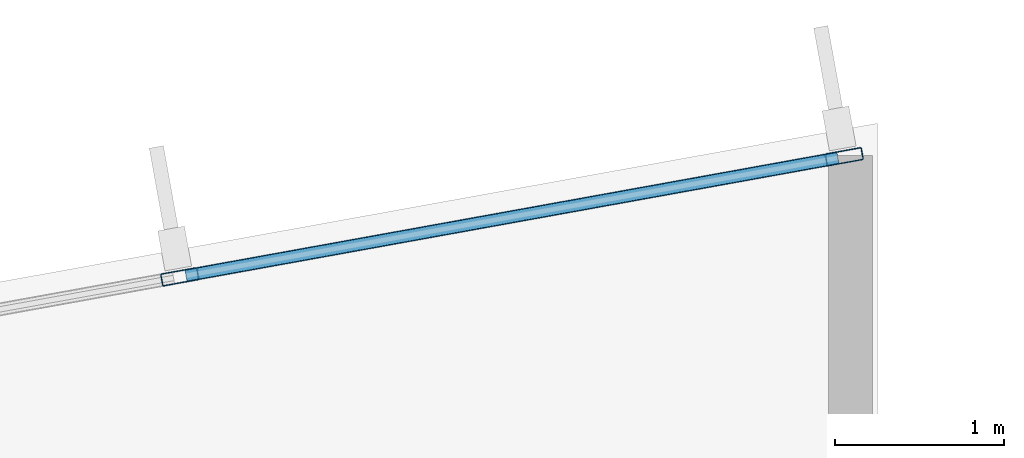
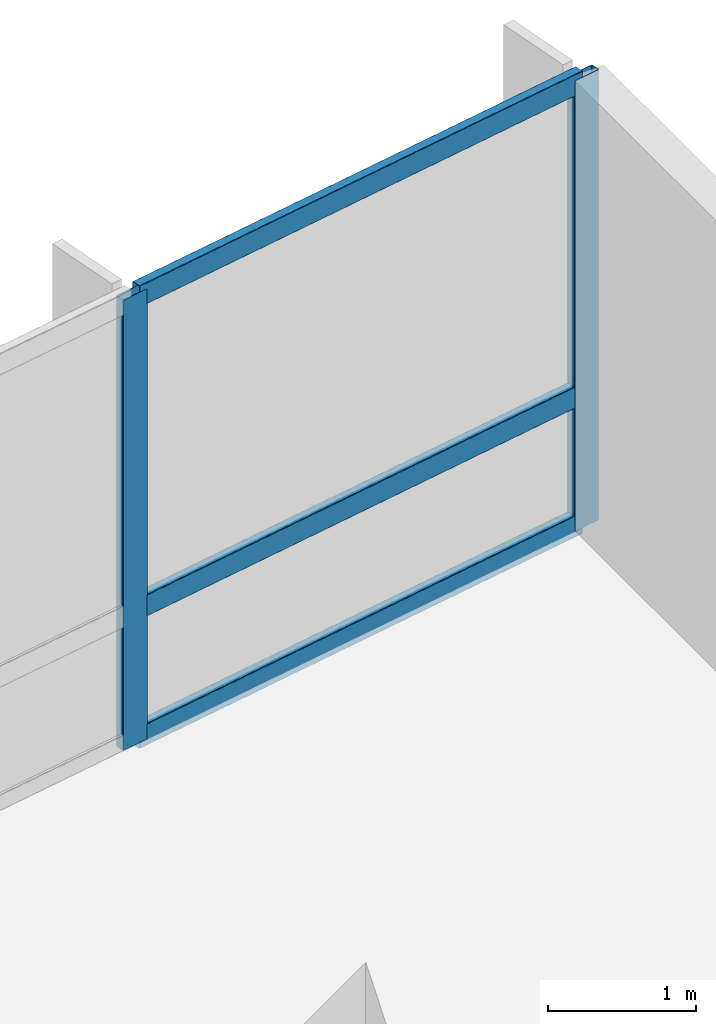
# One storey, part 8 of 19: 5 members, 1 element without a shape of its own.
"""IFC4 building model written with IfcOpenShell, lengths in metres."""

from ifc_helpers import new_model, si_unit, direction, frame, origin, origin_2d, place, context, subcontext, project, spatial, hollow_rectangle, extrude, material, layer, layer_set, material_profile, profile_set, type_object, element, aggregate, save


model = new_model("IFC4")

# Units and contexts
model_context = context("Model", 3, precision=1e-05, world=origin(), true_north=direction((0.0, 1.0)))
body_context = subcontext(model_context, "Body", "Model", "MODEL_VIEW")
ifc_project = project(units=[si_unit("LENGTHUNIT", "METRE"), si_unit("AREAUNIT", "SQUARE_METRE"), si_unit("VOLUMEUNIT", "CUBIC_METRE"), si_unit("PLANEANGLEUNIT", "RADIAN"), si_unit("MASSUNIT", "GRAM", prefix="KILO")], contexts=[model_context])

# Site, building, storey
site_placement = place(None, origin())
site = spatial("IfcSite", under=ifc_project, at=site_placement, CompositionType="ELEMENT")
building_placement = place(site_placement, origin())
building = spatial("IfcBuilding", under=site, at=building_placement, Name="Varnakote Quay Hospital", CompositionType="ELEMENT")
storey_placement = place(building_placement, frame((0.0, 0.0, 89.64990234375)))
storey = spatial("IfcBuildingStorey", under=building, at=storey_placement, Name="L22", CompositionType="ELEMENT", Elevation=89.64990234375)

# Curtain wall, members
ifc_material_1 = material(Name="Anodised aluminium 6063-T6 Bronze", Category="aluminium")
ifc_layer = layer(ifc_material_1, 0.18994140625)
ifc_layer_set = layer_set([ifc_layer], Name="Anodised aluminium 6063-T6 Bronze")
curtain_wall_type = type_object("IfcCurtainWallType", Name="CW-SYS-2", PredefinedType="NOTDEFINED", material=ifc_layer_set)
curtain_wall_placement = place(storey_placement, origin())
curtain_wall = element("IfcCurtainWall", 1, at=curtain_wall_placement, inside=storey, type_object=curtain_wall_type, Name="L22 Unitised Bronze Curtain Wall 1", PredefinedType="NOTDEFINED")
ifc_material_2 = material(Name="Anodised aluminium 6063-T6 Bronze", Category="aluminium")
ifc_material_profile_1 = material_profile(ifc_material_2, hollow_rectangle(XDim=0.074951171875, YDim=0.219970703125, WallThickness=0.00439453125, InnerFilletRadius=0.00439453125, OuterFilletRadius=0.009033203125, at=origin_2d()), Name="CW-MULL-220x75")
ifc_profile_set_1 = profile_set([ifc_material_profile_1], Name="Anodised aluminium 6063-T6 Bronze")
member_type_1 = type_object("IfcMemberType", Name="CW-MULL-220x75", PredefinedType="MULLION", material=ifc_profile_set_1)
member_1_placement = place(storey_placement, frame((55.403076171875, 34.201904296875, 0.0), z_axis=(0.0, 0.0, 1.0), x_axis=(0.177846199098, -0.984058295766, 0.0)))
member_1 = element("IfcMember", 2, at=member_1_placement, type_object=member_type_1, Name="-2-L22-1 mullion 1", PredefinedType="MULLION", context=body_context, shape_type="SweptSolid", body=[
    extrude(hollow_rectangle(XDim=0.074951171875, YDim=0.219970703125, WallThickness=0.00439453125, InnerFilletRadius=0.00439453125, OuterFilletRadius=0.009033203125, at=origin_2d()), origin(), (0.0, 0.0, 1.0), 3.710205078125),
])
member_2_placement = place(storey_placement, frame((51.477294921875, 33.492431640625, 0.0), z_axis=(0.0, 0.0, 1.0), x_axis=(0.177846199098, -0.984058295766, 0.0)))
member_2 = element("IfcMember", 3, at=member_2_placement, type_object=member_type_1, Name="-2-L22-1 mullion 2", PredefinedType="MULLION", context=body_context, shape_type="SweptSolid", body=[
    extrude(hollow_rectangle(XDim=0.074951171875, YDim=0.219970703125, WallThickness=0.00439453125, InnerFilletRadius=0.00439453125, OuterFilletRadius=0.009033203125, at=origin_2d()), origin(), (0.0, 0.0, 1.0), 3.710205078125),
])
ifc_material_3 = material(Name="Anodised aluminium 6063-T6 Bronze", Category="aluminium")
ifc_material_profile_2 = material_profile(ifc_material_3, hollow_rectangle(XDim=0.074951171875, YDim=0.179931640625, WallThickness=0.004150390625, InnerFilletRadius=0.004150390625, OuterFilletRadius=0.00830078125, at=origin_2d()), Name="CW-TRAN-180x75")
ifc_profile_set_2 = profile_set([ifc_material_profile_2], Name="Anodised aluminium 6063-T6 Bronze")
member_type_2 = type_object("IfcMemberType", Name="CW-TRAN-180x75", PredefinedType="USERDEFINED", material=ifc_profile_set_2)
member_3_placement = place(storey_placement, frame((55.3662109375, 34.195068359375, 0.03759765625), z_axis=(-0.984061948229, -0.177825988109, 0.0), x_axis=(0.177825988109, -0.984061948229, 0.0)))
member_3 = element("IfcMember", 4, at=member_3_placement, type_object=member_type_2, Name="-2-L22-1 transom 1.1", ObjectType="TRANSOM", PredefinedType="USERDEFINED", context=body_context, shape_type="SweptSolid", body=[
    extrude(hollow_rectangle(XDim=0.074951171875, YDim=0.179931640625, WallThickness=0.004150390625, InnerFilletRadius=0.004150390625, OuterFilletRadius=0.00830078125, at=origin_2d()), origin(), (0.0, 0.0, 1.0), 3.914306640625),
])
member_4_placement = place(storey_placement, frame((55.3662109375, 34.195068359375, 1.10009765625), z_axis=(-0.984061948229, -0.177825988109, 0.0), x_axis=(0.177825988109, -0.984061948229, 0.0)))
member_4 = element("IfcMember", 5, at=member_4_placement, type_object=member_type_2, Name="-2-L22-1 transom 1.2", ObjectType="TRANSOM", PredefinedType="USERDEFINED", context=body_context, shape_type="SweptSolid", body=[
    extrude(hollow_rectangle(XDim=0.074951171875, YDim=0.179931640625, WallThickness=0.004150390625, InnerFilletRadius=0.004150390625, OuterFilletRadius=0.00830078125, at=origin_2d()), origin(), (0.0, 0.0, 1.0), 3.914306640625),
])
member_5_placement = place(storey_placement, frame((55.3662109375, 34.195068359375, 3.672607421875), z_axis=(-0.984061948229, -0.177825988109, 0.0), x_axis=(0.177825988109, -0.984061948229, 0.0)))
member_5 = element("IfcMember", 6, at=member_5_placement, type_object=member_type_2, Name="-2-L22-1 transom 1.3", ObjectType="TRANSOM", PredefinedType="USERDEFINED", context=body_context, shape_type="SweptSolid", body=[
    extrude(hollow_rectangle(XDim=0.074951171875, YDim=0.179931640625, WallThickness=0.004150390625, InnerFilletRadius=0.004150390625, OuterFilletRadius=0.00830078125, at=origin_2d()), origin(), (0.0, 0.0, 1.0), 3.914306640625),
])
aggregate(curtain_wall, [member_1, member_2, member_3, member_4, member_5])

save(model, "model.ifc")
